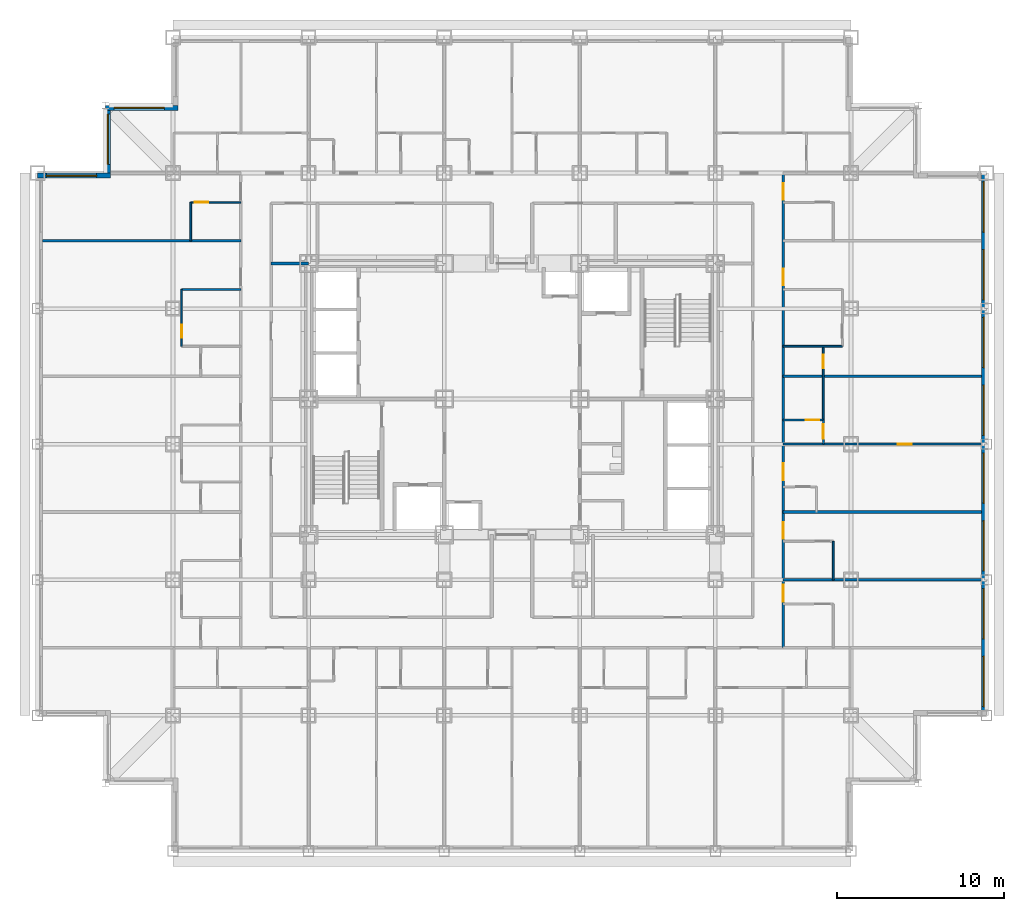
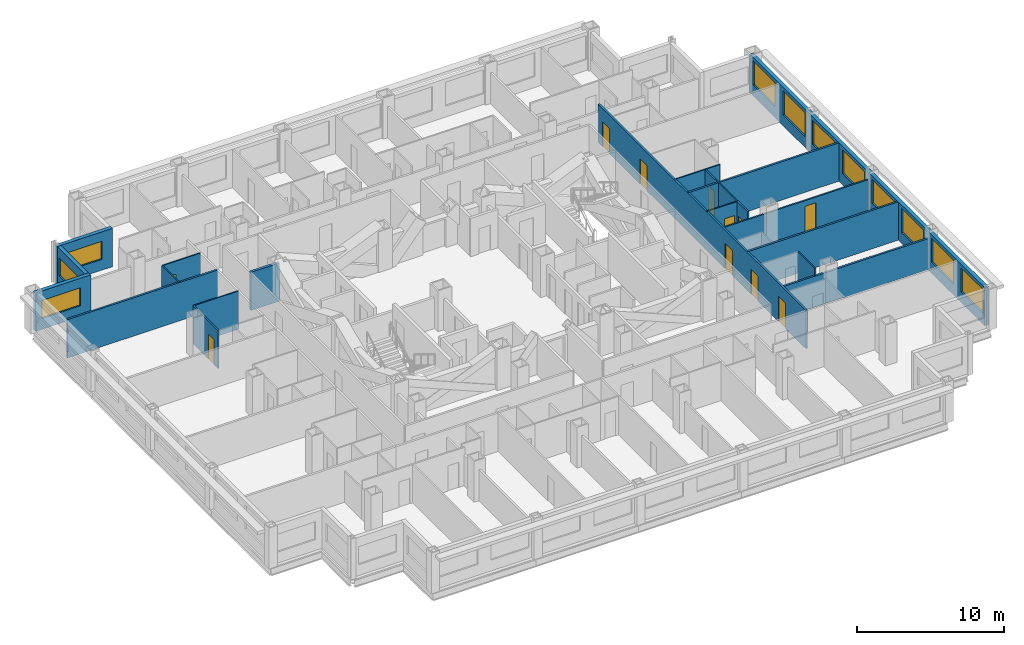
# One storey, part 8 of 13: 20 walls, 11 doors, 11 windows, 22 openings.
"""IFC4 building model written with IfcOpenShell, lengths in metres."""

from ifc_helpers import new_model, si_unit, direction, frame, frame_2d, origin, place, context, subcontext, project, spatial, rectangle, extrude, material, layer, layer_set, type_object, element, fill, save


model = new_model("IFC4")

# Units and contexts
model_context = context("Model", 3, precision=1e-05, world=origin(), true_north=direction((0.0, 1.0)))
body_context = subcontext(model_context, "Body", "Model", "MODEL_VIEW")
ifc_project = project(units=[si_unit("LENGTHUNIT", "METRE"), si_unit("AREAUNIT", "SQUARE_METRE"), si_unit("VOLUMEUNIT", "CUBIC_METRE"), si_unit("PLANEANGLEUNIT", "RADIAN"), si_unit("MASSUNIT", "GRAM", prefix="KILO")], contexts=[model_context])

# Site, building, storey
site_placement = place(None, origin())
site = spatial("IfcSite", under=ifc_project, at=site_placement, CompositionType="ELEMENT")
building_placement = place(site_placement, origin())
building = spatial("IfcBuilding", under=site, at=building_placement, Name="Kopane Lantern Tower", CompositionType="ELEMENT")
storey_placement = place(building_placement, frame((0.0, 0.0, 113.60009765625)))
storey = spatial("IfcBuildingStorey", under=building, at=storey_placement, Name="L28", CompositionType="ELEMENT", Elevation=113.60009765625)

# Wall, opening, door
ifc_material_1 = material(Name="Gypsum board on steel studs", Category="steel")
ifc_layer_1 = layer(ifc_material_1, 0.1201171875)
ifc_layer_set_1 = layer_set([ifc_layer_1], Name="APARTMENT INTERNAL WALL 120")
wall_type_1 = type_object("IfcWallType", Name="APARTMENT INTERNAL WALL 120", PredefinedType="PARTITIONING", material=ifc_layer_set_1)
wall_1_placement = place(storey_placement, frame((44.550048828125, 29.699951171875, 0.0), z_axis=(0.0, 0.0, 1.0), x_axis=(1.0, 0.0, 0.0)))
wall_1 = element("IfcWall", 1, at=wall_1_placement, inside=storey, type_object=wall_type_1, Name="Apartment Internal Wall 120 L28", PredefinedType="PARTITIONING", context=body_context, shape_type="SweptSolid", body=[
    extrude(rectangle(XDim=11.849853515625, YDim=0.1201171875, at=frame_2d((5.9248046875, 0.0))), origin(), (0.0, 0.0, 1.0), 2.57763671875),
])
opening_1_placement = place(wall_1_placement, frame((6.85009765625, 0.0, 0.0)))
opening_1 = element("IfcOpeningElement", 2, at=opening_1_placement, cuts=wall_1, Name="Opening L28-053", PredefinedType="OPENING", context=body_context, shape_type="SweptSolid", body=[
    extrude(rectangle(XDim=0.85009765625, YDim=2.10009765625, at=frame_2d((0.425048828125, 1.050048828125))), frame((0.0, 0.070068359375, 0.0), z_axis=(0.0, -1.0, 0.0), x_axis=(1.0, 0.0, 0.0)), (0.0, 0.0, 1.0), 0.14013671875),
])
ifc_material_2 = material(Name="Timber door set", Category="wood")
door_type_1 = type_object("IfcDoorType", Name="DOOR D4 850x2100", OperationType="SINGLE_SWING_LEFT", PredefinedType="DOOR", material=ifc_material_2)
door_1_placement = place(opening_1_placement, origin())
door_1 = element("IfcDoor", 3, at=door_1_placement, inside=storey, type_object=door_type_1, Name="Door L28-053", OperationType="SINGLE_SWING_LEFT", OverallHeight=2.10009765625, OverallWidth=0.85009765625, PredefinedType="DOOR", context=body_context, shape_type="SweptSolid", body=[
    extrude(rectangle(XDim=0.85009765625, YDim=2.10009765625, at=frame_2d((0.425048828125, 1.050048828125))), frame((0.0, 0.02490234375, 0.0), z_axis=(0.0, -1.0, 0.0), x_axis=(1.0, 0.0, 0.0)), (0.0, 0.0, 1.0), 0.050048828125),
])
fill(opening_1, door_1)

wall_2_placement = place(storey_placement, frame((46.949951171875, 31.159912109375, 0.0), z_axis=(0.0, 0.0, 1.0), x_axis=(0.0, -1.0, 0.0)))
wall_2 = element("IfcWall", 4, at=wall_2_placement, inside=storey, type_object=wall_type_1, Name="Apartment Internal Wall 120 L28", PredefinedType="PARTITIONING", context=body_context, shape_type="SweptSolid", body=[
    extrude(rectangle(XDim=1.4599609375, YDim=0.1201171875, at=frame_2d((0.72998046875, 0.0))), origin(), (0.0, 0.0, 1.0), 3.18994140625),
])
opening_2_placement = place(wall_2_placement, frame((0.27490234375, 0.0, 0.0)))
opening_2 = element("IfcOpeningElement", 5, at=opening_2_placement, cuts=wall_2, Name="Opening L28-080", PredefinedType="OPENING", context=body_context, shape_type="SweptSolid", body=[
    extrude(rectangle(XDim=0.85009765625, YDim=2.10009765625, at=frame_2d((0.425048828125, 1.050048828125))), frame((0.0, 0.070068359375, 0.0), z_axis=(0.0, -1.0, 0.0), x_axis=(1.0, 0.0, 0.0)), (0.0, 0.0, 1.0), 0.14013671875),
])
door_2_placement = place(opening_2_placement, origin())
door_2 = element("IfcDoor", 6, at=door_2_placement, inside=storey, type_object=door_type_1, Name="Door L28-080", OperationType="SINGLE_SWING_RIGHT", OverallHeight=2.10009765625, OverallWidth=0.85009765625, PredefinedType="DOOR", context=body_context, shape_type="SweptSolid", body=[
    extrude(rectangle(XDim=0.85009765625, YDim=2.10009765625, at=frame_2d((0.425048828125, 1.050048828125))), frame((0.0, 0.02490234375, 0.0), z_axis=(0.0, -1.0, 0.0), x_axis=(1.0, 0.0, 0.0)), (0.0, 0.0, 1.0), 0.050048828125),
])
fill(opening_2, door_2)

ifc_material_3 = material(Name="Moisture-resistant board on steel studs", Category="steel")
ifc_layer_2 = layer(ifc_material_3, 0.10009765625)
ifc_layer_set_2 = layer_set([ifc_layer_2], Name="BATHROOM WALL 100")
wall_type_2 = type_object("IfcWallType", Name="BATHROOM WALL 100", PredefinedType="PARTITIONING", material=ifc_layer_set_2)
wall_3_placement = place(storey_placement, frame((8.610107421875, 35.550048828125, 0.0), z_axis=(0.0, 0.0, 1.0), x_axis=(0.0, 1.0, 0.0)))
wall_3 = element("IfcWall", 7, at=wall_3_placement, inside=storey, type_object=wall_type_2, Name="Bathroom Wall 100 L28", PredefinedType="PARTITIONING", context=body_context, shape_type="SweptSolid", body=[
    extrude(rectangle(XDim=3.39990234375, YDim=0.10009765625, at=frame_2d((1.699951171875, 0.0))), origin(), (0.0, 0.0, 1.0), 3.18994140625),
])
opening_3_placement = place(wall_3_placement, frame((0.5, 0.0, 0.0)))
opening_3 = element("IfcOpeningElement", 8, at=opening_3_placement, cuts=wall_3, Name="Opening L28-041", PredefinedType="OPENING", context=body_context, shape_type="SweptSolid", body=[
    extrude(rectangle(XDim=0.800048828125, YDim=2.10009765625, at=frame_2d((0.39990234375, 1.050048828125))), frame((0.0, 0.06005859375, 0.0), z_axis=(0.0, -1.0, 0.0), x_axis=(1.0, 0.0, 0.0)), (0.0, 0.0, 1.0), 0.1201171875),
])
ifc_material_4 = material(Name="Timber door set", Category="wood")
door_type_2 = type_object("IfcDoorType", Name="DOOR D2 800x2100", OperationType="SINGLE_SWING_LEFT", PredefinedType="DOOR", material=ifc_material_4)
door_3_placement = place(opening_3_placement, origin())
door_3 = element("IfcDoor", 9, at=door_3_placement, inside=storey, type_object=door_type_2, Name="Door L28-041", OperationType="SINGLE_SWING_RIGHT", OverallHeight=2.10009765625, OverallWidth=0.800048828125, PredefinedType="DOOR", context=body_context, shape_type="SweptSolid", body=[
    extrude(rectangle(XDim=0.800048828125, YDim=2.10009765625, at=frame_2d((0.39990234375, 1.050048828125))), frame((0.0, 0.02490234375, 0.0), z_axis=(0.0, -1.0, 0.0), x_axis=(1.0, 0.0, 0.0)), (0.0, 0.0, 1.0), 0.050048828125),
])
fill(opening_3, door_3)

# Walls
wall_4_placement = place(storey_placement, frame((12.14990234375, 38.949951171875, 0.0), z_axis=(0.0, 0.0, 1.0), x_axis=(-1.0, 0.0, 0.0)))
element("IfcWall", 10, at=wall_4_placement, inside=storey, type_object=wall_type_2, Name="Bathroom Wall 100 L28", PredefinedType="PARTITIONING", context=body_context, shape_type="SweptSolid", body=[
    extrude(rectangle(XDim=3.539794921875, YDim=0.10009765625, at=frame_2d((1.77001953125, 0.0))), origin(), (0.0, 0.0, 1.0), 3.18994140625),
])
wall_5_placement = place(storey_placement, frame((9.14990234375, 41.85009765625, 0.0), z_axis=(0.0, 0.0, 1.0), x_axis=(0.0, 1.0, 0.0)))
element("IfcWall", 11, at=wall_5_placement, inside=storey, type_object=wall_type_2, Name="Bathroom Wall 100 L28", PredefinedType="PARTITIONING", context=body_context, shape_type="SweptSolid", body=[
    extrude(rectangle(XDim=2.2998046875, YDim=0.10009765625, at=frame_2d((1.14990234375, 0.0))), origin(), (0.0, 0.0, 1.0), 3.18994140625),
])

# Wall, opening, door
wall_6_placement = place(storey_placement, frame((12.14990234375, 44.14990234375, 0.0), z_axis=(0.0, 0.0, 1.0), x_axis=(-1.0, 0.0, 0.0)))
wall_6 = element("IfcWall", 12, at=wall_6_placement, inside=storey, type_object=wall_type_2, Name="Bathroom Wall 100 L28", PredefinedType="PARTITIONING", context=body_context, shape_type="SweptSolid", body=[
    extrude(rectangle(XDim=3.0, YDim=0.10009765625, at=frame_2d((1.5, 0.0))), origin(), (0.0, 0.0, 1.0), 3.18994140625),
])
opening_4_placement = place(wall_6_placement, frame((1.949951171875, 0.0, 0.0)))
opening_4 = element("IfcOpeningElement", 13, at=opening_4_placement, cuts=wall_6, Name="Opening L28-044", PredefinedType="OPENING", context=body_context, shape_type="SweptSolid", body=[
    extrude(rectangle(XDim=0.800048828125, YDim=2.10009765625, at=frame_2d((0.39990234375, 1.050048828125))), frame((0.0, 0.06005859375, 0.0), z_axis=(0.0, -1.0, 0.0), x_axis=(1.0, 0.0, 0.0)), (0.0, 0.0, 1.0), 0.1201171875),
])
door_4_placement = place(opening_4_placement, origin())
door_4 = element("IfcDoor", 14, at=door_4_placement, inside=storey, type_object=door_type_2, Name="Door L28-044", OperationType="SINGLE_SWING_RIGHT", OverallHeight=2.10009765625, OverallWidth=0.800048828125, PredefinedType="DOOR", context=body_context, shape_type="SweptSolid", body=[
    extrude(rectangle(XDim=0.800048828125, YDim=2.10009765625, at=frame_2d((0.39990234375, 1.050048828125))), frame((0.0, 0.02490234375, 0.0), z_axis=(0.0, -1.0, 0.0), x_axis=(1.0, 0.0, 0.0)), (0.0, 0.0, 1.0), 0.050048828125),
])
fill(opening_4, door_4)

# Wall
wall_7_placement = place(storey_placement, frame((47.550048828125, 21.60009765625, 0.0), z_axis=(0.0, 0.0, 1.0), x_axis=(0.0, 1.0, 0.0)))
element("IfcWall", 15, at=wall_7_placement, inside=storey, type_object=wall_type_2, Name="Bathroom Wall 100 L28", PredefinedType="PARTITIONING", context=body_context, shape_type="SweptSolid", body=[
    extrude(rectangle(XDim=2.2998046875, YDim=0.10009765625, at=frame_2d((1.14990234375, 0.0))), origin(), (0.0, 0.0, 1.0), 3.18994140625),
])

# Wall, opening, door
wall_8_placement = place(storey_placement, frame((46.949951171875, 31.14990234375, 0.0), z_axis=(0.0, 0.0, 1.0), x_axis=(0.0, 1.0, 0.0)))
wall_8 = element("IfcWall", 16, at=wall_8_placement, inside=storey, type_object=wall_type_2, Name="Bathroom Wall 100 L28", PredefinedType="PARTITIONING", context=body_context, shape_type="SweptSolid", body=[
    extrude(rectangle(XDim=4.400146484375, YDim=0.10009765625, at=frame_2d((2.2001953125, 0.0))), origin(), (0.0, 0.0, 1.0), 3.18994140625),
])
opening_5_placement = place(wall_8_placement, frame((3.10009765625, 0.0, 0.0)))
opening_5 = element("IfcOpeningElement", 17, at=opening_5_placement, cuts=wall_8, Name="Opening L28-055", PredefinedType="OPENING", context=body_context, shape_type="SweptSolid", body=[
    extrude(rectangle(XDim=0.800048828125, YDim=2.10009765625, at=frame_2d((0.39990234375, 1.050048828125))), frame((0.0, 0.06005859375, 0.0), z_axis=(0.0, -1.0, 0.0), x_axis=(1.0, 0.0, 0.0)), (0.0, 0.0, 1.0), 0.1201171875),
])
door_5_placement = place(opening_5_placement, origin())
door_5 = element("IfcDoor", 18, at=door_5_placement, inside=storey, type_object=door_type_2, Name="Door L28-055", OperationType="SINGLE_SWING_LEFT", OverallHeight=2.10009765625, OverallWidth=0.800048828125, PredefinedType="DOOR", context=body_context, shape_type="SweptSolid", body=[
    extrude(rectangle(XDim=0.800048828125, YDim=2.10009765625, at=frame_2d((0.39990234375, 1.050048828125))), frame((0.0, 0.02490234375, 0.0), z_axis=(0.0, -1.0, 0.0), x_axis=(1.0, 0.0, 0.0)), (0.0, 0.0, 1.0), 0.050048828125),
])
fill(opening_5, door_5)

wall_9_placement = place(storey_placement, frame((44.550048828125, 31.14990234375, 0.0), z_axis=(0.0, 0.0, 1.0), x_axis=(1.0, 0.0, 0.0)))
wall_9 = element("IfcWall", 19, at=wall_9_placement, inside=storey, type_object=wall_type_2, Name="Bathroom Wall 100 L28", PredefinedType="PARTITIONING", context=body_context, shape_type="SweptSolid", body=[
    extrude(rectangle(XDim=2.39990234375, YDim=0.10009765625, at=frame_2d((1.199951171875, 0.0))), origin(), (0.0, 0.0, 1.0), 3.18994140625),
])
opening_6_placement = place(wall_9_placement, frame((1.35009765625, 0.0, 0.0)))
opening_6 = element("IfcOpeningElement", 20, at=opening_6_placement, cuts=wall_9, Name="Opening L28-052", PredefinedType="OPENING", context=body_context, shape_type="SweptSolid", body=[
    extrude(rectangle(XDim=0.800048828125, YDim=2.10009765625, at=frame_2d((0.39990234375, 1.050048828125))), frame((0.0, 0.06005859375, 0.0), z_axis=(0.0, -1.0, 0.0), x_axis=(1.0, 0.0, 0.0)), (0.0, 0.0, 1.0), 0.1201171875),
])
door_6_placement = place(opening_6_placement, origin())
door_6 = element("IfcDoor", 21, at=door_6_placement, inside=storey, type_object=door_type_2, Name="Door L28-052", OperationType="SINGLE_SWING_LEFT", OverallHeight=2.10009765625, OverallWidth=0.800048828125, PredefinedType="DOOR", context=body_context, shape_type="SweptSolid", body=[
    extrude(rectangle(XDim=0.800048828125, YDim=2.10009765625, at=frame_2d((0.39990234375, 1.050048828125))), frame((0.0, 0.02490234375, 0.0), z_axis=(0.0, -1.0, 0.0), x_axis=(1.0, 0.0, 0.0)), (0.0, 0.0, 1.0), 0.050048828125),
])
fill(opening_6, door_6)

# Wall
wall_10_placement = place(storey_placement, frame((44.550048828125, 35.550048828125, 0.0), z_axis=(0.0, 0.0, 1.0), x_axis=(1.0, 0.0, 0.0)))
element("IfcWall", 22, at=wall_10_placement, inside=storey, type_object=wall_type_2, Name="Bathroom Wall 100 L28", PredefinedType="PARTITIONING", context=body_context, shape_type="SweptSolid", body=[
    extrude(rectangle(XDim=3.5400390625, YDim=0.10009765625, at=frame_2d((1.77001953125, 0.0))), origin(), (0.0, 0.0, 1.0), 3.18994140625),
])

# Wall, openings, doors
ifc_material_5 = material(Name="Gypsum board on steel studs", Category="steel")
ifc_layer_3 = layer(ifc_material_5, 0.14990234375)
ifc_layer_set_3 = layer_set([ifc_layer_3], Name="CORRIDOR WALL 150 EI 60")
wall_type_3 = type_object("IfcWallType", Name="CORRIDOR WALL 150 EI 60", PredefinedType="PARTITIONING", material=ifc_layer_set_3)
wall_11_placement = place(storey_placement, frame((44.550048828125, 17.550048828125, 0.0), z_axis=(0.0, 0.0, 1.0), x_axis=(0.0, 1.0, 0.0)))
wall_11 = element("IfcWall", 23, at=wall_11_placement, inside=storey, type_object=wall_type_3, Name="Corridor Wall 150 Ei 60 L28", PredefinedType="PARTITIONING", context=body_context, shape_type="SweptSolid", body=[
    extrude(rectangle(XDim=28.349853515625, YDim=0.14990234375, at=frame_2d((14.1748046875, 0.0))), origin(), (0.0, 0.0, 1.0), 3.18994140625),
])
opening_7_placement = place(wall_11_placement, frame((2.75, 0.0, 0.0)))
opening_7 = element("IfcOpeningElement", 24, at=opening_7_placement, cuts=wall_11, Name="Opening L28-047", PredefinedType="OPENING", context=body_context, shape_type="SweptSolid", body=[
    extrude(rectangle(XDim=1.0, YDim=2.10009765625, at=frame_2d((0.5, 1.050048828125))), frame((0.0, 0.0849609375, 0.0), z_axis=(0.0, -1.0, 0.0), x_axis=(1.0, 0.0, 0.0)), (0.0, 0.0, 1.0), 0.169921875),
])
opening_8_placement = place(wall_11_placement, frame((6.5, 0.0, 0.0)))
opening_8 = element("IfcOpeningElement", 25, at=opening_8_placement, cuts=wall_11, Name="Opening L28-049", PredefinedType="OPENING", context=body_context, shape_type="SweptSolid", body=[
    extrude(rectangle(XDim=1.0, YDim=2.10009765625, at=frame_2d((0.5, 1.050048828125))), frame((0.0, 0.0849609375, 0.0), z_axis=(0.0, -1.0, 0.0), x_axis=(1.0, 0.0, 0.0)), (0.0, 0.0, 1.0), 0.169921875),
])
opening_9_placement = place(wall_11_placement, frame((10.0, 0.0, 0.0)))
opening_9 = element("IfcOpeningElement", 26, at=opening_9_placement, cuts=wall_11, Name="Opening L28-051", PredefinedType="OPENING", context=body_context, shape_type="SweptSolid", body=[
    extrude(rectangle(XDim=1.0, YDim=2.10009765625, at=frame_2d((0.5, 1.050048828125))), frame((0.0, 0.0849609375, 0.0), z_axis=(0.0, -1.0, 0.0), x_axis=(1.0, 0.0, 0.0)), (0.0, 0.0, 1.0), 0.169921875),
])
opening_10_placement = place(wall_11_placement, frame((21.64990234375, 0.0, 0.0)))
opening_10 = element("IfcOpeningElement", 27, at=opening_10_placement, cuts=wall_11, Name="Opening L28-056", PredefinedType="OPENING", context=body_context, shape_type="SweptSolid", body=[
    extrude(rectangle(XDim=1.0, YDim=2.10009765625, at=frame_2d((0.5, 1.050048828125))), frame((0.0, 0.0849609375, 0.0), z_axis=(0.0, -1.0, 0.0), x_axis=(1.0, 0.0, 0.0)), (0.0, 0.0, 1.0), 0.169921875),
])
opening_11_placement = place(wall_11_placement, frame((26.75, 0.0, 0.0)))
opening_11 = element("IfcOpeningElement", 28, at=opening_11_placement, cuts=wall_11, Name="Opening L28-058", PredefinedType="OPENING", context=body_context, shape_type="SweptSolid", body=[
    extrude(rectangle(XDim=1.0, YDim=2.10009765625, at=frame_2d((0.5, 1.050048828125))), frame((0.0, 0.0849609375, 0.0), z_axis=(0.0, -1.0, 0.0), x_axis=(1.0, 0.0, 0.0)), (0.0, 0.0, 1.0), 0.169921875),
])
ifc_material_6 = material(Name="Steel door set", Category="steel")
door_type_3 = type_object("IfcDoorType", Name="DOOR D1 1000x2100 FD30S", OperationType="SINGLE_SWING_LEFT", PredefinedType="DOOR", material=ifc_material_6)
door_7_placement = place(opening_7_placement, origin())
door_7 = element("IfcDoor", 29, at=door_7_placement, inside=storey, type_object=door_type_3, Name="Door L28-047", OperationType="SINGLE_SWING_RIGHT", OverallHeight=2.10009765625, OverallWidth=1.0, PredefinedType="DOOR", context=body_context, shape_type="SweptSolid", body=[
    extrude(rectangle(XDim=1.0, YDim=2.10009765625, at=frame_2d((0.5, 1.050048828125))), frame((0.0, 0.02490234375, 0.0), z_axis=(0.0, -1.0, 0.0), x_axis=(1.0, 0.0, 0.0)), (0.0, 0.0, 1.0), 0.050048828125),
])
fill(opening_7, door_7)
door_8_placement = place(opening_8_placement, origin())
door_8 = element("IfcDoor", 30, at=door_8_placement, inside=storey, type_object=door_type_3, Name="Door L28-049", OperationType="SINGLE_SWING_RIGHT", OverallHeight=2.10009765625, OverallWidth=1.0, PredefinedType="DOOR", context=body_context, shape_type="SweptSolid", body=[
    extrude(rectangle(XDim=1.0, YDim=2.10009765625, at=frame_2d((0.5, 1.050048828125))), frame((0.0, 0.02490234375, 0.0), z_axis=(0.0, -1.0, 0.0), x_axis=(1.0, 0.0, 0.0)), (0.0, 0.0, 1.0), 0.050048828125),
])
fill(opening_8, door_8)
door_9_placement = place(opening_9_placement, origin())
door_9 = element("IfcDoor", 31, at=door_9_placement, inside=storey, type_object=door_type_3, Name="Door L28-051", OperationType="SINGLE_SWING_RIGHT", OverallHeight=2.10009765625, OverallWidth=1.0, PredefinedType="DOOR", context=body_context, shape_type="SweptSolid", body=[
    extrude(rectangle(XDim=1.0, YDim=2.10009765625, at=frame_2d((0.5, 1.050048828125))), frame((0.0, 0.02490234375, 0.0), z_axis=(0.0, -1.0, 0.0), x_axis=(1.0, 0.0, 0.0)), (0.0, 0.0, 1.0), 0.050048828125),
])
fill(opening_9, door_9)
door_10_placement = place(opening_10_placement, origin())
door_10 = element("IfcDoor", 32, at=door_10_placement, inside=storey, type_object=door_type_3, Name="Door L28-056", OperationType="SINGLE_SWING_RIGHT", OverallHeight=2.10009765625, OverallWidth=1.0, PredefinedType="DOOR", context=body_context, shape_type="SweptSolid", body=[
    extrude(rectangle(XDim=1.0, YDim=2.10009765625, at=frame_2d((0.5, 1.050048828125))), frame((0.0, 0.02490234375, 0.0), z_axis=(0.0, -1.0, 0.0), x_axis=(1.0, 0.0, 0.0)), (0.0, 0.0, 1.0), 0.050048828125),
])
fill(opening_10, door_10)
door_11_placement = place(opening_11_placement, origin())
door_11 = element("IfcDoor", 33, at=door_11_placement, inside=storey, type_object=door_type_3, Name="Door L28-058", OperationType="SINGLE_SWING_RIGHT", OverallHeight=2.10009765625, OverallWidth=1.0, PredefinedType="DOOR", context=body_context, shape_type="SweptSolid", body=[
    extrude(rectangle(XDim=1.0, YDim=2.10009765625, at=frame_2d((0.5, 1.050048828125))), frame((0.0, 0.02490234375, 0.0), z_axis=(0.0, -1.0, 0.0), x_axis=(1.0, 0.0, 0.0)), (0.0, 0.0, 1.0), 0.050048828125),
])
fill(opening_11, door_11)

# Walls
ifc_material_7 = material(Name="Gypsum board on steel studs", Category="steel")
ifc_layer_4 = layer(ifc_material_7, 0.14990234375)
ifc_layer_set_4 = layer_set([ifc_layer_4], Name="DEMISING WALL 150 EI 60")
wall_type_4 = type_object("IfcWallType", Name="DEMISING WALL 150 EI 60", PredefinedType="PARTITIONING", material=ifc_layer_set_4)
wall_12_placement = place(storey_placement, frame((12.14990234375, 41.85009765625, 0.0), z_axis=(0.0, 0.0, 1.0), x_axis=(-1.0, 0.0, 0.0)))
element("IfcWall", 34, at=wall_12_placement, inside=storey, type_object=wall_type_4, Name="Demising Wall 150 Ei 60 L28", PredefinedType="PARTITIONING", context=body_context, shape_type="SweptSolid", body=[
    extrude(rectangle(XDim=11.849853515625, YDim=0.14990234375, at=frame_2d((5.9248046875, 0.0))), origin(), (0.0, 0.0, 1.0), 3.18994140625),
])
wall_13_placement = place(storey_placement, frame((44.550048828125, 21.60009765625, 0.0), z_axis=(0.0, 0.0, 1.0), x_axis=(1.0, 0.0, 0.0)))
element("IfcWall", 35, at=wall_13_placement, inside=storey, type_object=wall_type_4, Name="Demising Wall 150 Ei 60 L28", PredefinedType="PARTITIONING", context=body_context, shape_type="SweptSolid", body=[
    extrude(rectangle(XDim=11.849853515625, YDim=0.14990234375, at=frame_2d((5.9248046875, 0.0))), origin(), (0.0, 0.0, 1.0), 2.57763671875),
])
for number, where, z_axis, x_axis, name in (
    (36, (44.550048828125, 25.64990234375, 0.0), (0.0, 0.0, 1.0), (1.0, 0.0, 0.0), "Demising Wall 150 Ei 60 L28"),
    (37, (44.550048828125, 33.75, 0.0), (0.0, 0.0, 1.0), (1.0, 0.0, 0.0), "Demising Wall 150 Ei 60 L28"),
):
    element("IfcWall", number, at=place(storey_placement, frame(where, z_axis=z_axis, x_axis=x_axis)), inside=storey, type_object=wall_type_4, Name=name, PredefinedType="PARTITIONING", context=body_context, shape_type="SweptSolid", body=[
        extrude(rectangle(XDim=11.849853515625, YDim=0.14990234375, at=frame_2d((5.9248046875, 0.0))), origin(), (0.0, 0.0, 1.0), 3.18994140625),
    ])

# Wall, openings, windows
ifc_material_8 = material(Name="Terracotta rainscreen on light steel framing", Category="masonry")
ifc_layer_5 = layer(ifc_material_8, 0.300048828125)
ifc_layer_set_5 = layer_set([ifc_layer_5], Name="EXTERNAL WALL EW1 300 TERRACOTTA")
wall_type_5 = type_object("IfcWallType", Name="EXTERNAL WALL EW1 300 TERRACOTTA", PredefinedType="SOLIDWALL", material=ifc_layer_set_5)
wall_14_placement = place(storey_placement, frame((56.550048828125, 13.800048828125, 0.0), z_axis=(0.0, 0.0, 1.0), x_axis=(0.0, 1.0, 0.0)))
wall_14 = element("IfcWall", 38, at=wall_14_placement, inside=storey, type_object=wall_type_5, Name="External wall E L28", PredefinedType="SOLIDWALL", context=body_context, shape_type="SweptSolid", body=[
    extrude(rectangle(XDim=32.099853515625, YDim=0.300048828125, at=frame_2d((16.0498046875, 0.0))), origin(), (0.0, 0.0, 1.0), 3.18994140625),
])
opening_12_placement = place(wall_14_placement, frame((0.22509765625, 0.0, 0.89990234375)))
opening_12 = element("IfcOpeningElement", 39, at=opening_12_placement, cuts=wall_14, Name="Opening WR300200", PredefinedType="OPENING", context=body_context, shape_type="SweptSolid", body=[
    extrude(rectangle(XDim=3.0, YDim=2.0, at=frame_2d((1.5, 1.0))), frame((0.0, 0.159912109375, 0.0), z_axis=(0.0, -1.0, 0.0), x_axis=(1.0, 0.0, 0.0)), (0.0, 0.0, 1.0), 0.320068359375),
])
opening_13_placement = place(wall_14_placement, frame((4.27490234375, 0.0, 0.89990234375)))
opening_13 = element("IfcOpeningElement", 40, at=opening_13_placement, cuts=wall_14, Name="Opening WR300200", PredefinedType="OPENING", context=body_context, shape_type="SweptSolid", body=[
    extrude(rectangle(XDim=3.0, YDim=2.0, at=frame_2d((1.5, 1.0))), frame((0.0, 0.159912109375, 0.0), z_axis=(0.0, -1.0, 0.0), x_axis=(1.0, 0.0, 0.0)), (0.0, 0.0, 1.0), 0.320068359375),
])
opening_14_placement = place(wall_14_placement, frame((8.324951171875, 0.0, 0.89990234375)))
opening_14 = element("IfcOpeningElement", 41, at=opening_14_placement, cuts=wall_14, Name="Opening WR300200", PredefinedType="OPENING", context=body_context, shape_type="SweptSolid", body=[
    extrude(rectangle(XDim=3.0, YDim=2.0, at=frame_2d((1.5, 1.0))), frame((0.0, 0.159912109375, 0.0), z_axis=(0.0, -1.0, 0.0), x_axis=(1.0, 0.0, 0.0)), (0.0, 0.0, 1.0), 0.320068359375),
])
opening_15_placement = place(wall_14_placement, frame((12.375, 0.0, 0.89990234375)))
opening_15 = element("IfcOpeningElement", 42, at=opening_15_placement, cuts=wall_14, Name="Opening WR300200", PredefinedType="OPENING", context=body_context, shape_type="SweptSolid", body=[
    extrude(rectangle(XDim=3.0, YDim=2.0, at=frame_2d((1.5, 1.0))), frame((0.0, 0.159912109375, 0.0), z_axis=(0.0, -1.0, 0.0), x_axis=(1.0, 0.0, 0.0)), (0.0, 0.0, 1.0), 0.320068359375),
])
opening_16_placement = place(wall_14_placement, frame((16.425048828125, 0.0, 0.89990234375)))
opening_16 = element("IfcOpeningElement", 43, at=opening_16_placement, cuts=wall_14, Name="Opening WR300200", PredefinedType="OPENING", context=body_context, shape_type="SweptSolid", body=[
    extrude(rectangle(XDim=3.0, YDim=2.0, at=frame_2d((1.5, 1.0))), frame((0.0, 0.159912109375, 0.0), z_axis=(0.0, -1.0, 0.0), x_axis=(1.0, 0.0, 0.0)), (0.0, 0.0, 1.0), 0.320068359375),
])
opening_17_placement = place(wall_14_placement, frame((20.47509765625, 0.0, 0.89990234375)))
opening_17 = element("IfcOpeningElement", 44, at=opening_17_placement, cuts=wall_14, Name="Opening WR300200", PredefinedType="OPENING", context=body_context, shape_type="SweptSolid", body=[
    extrude(rectangle(XDim=3.0, YDim=2.0, at=frame_2d((1.5, 1.0))), frame((0.0, 0.159912109375, 0.0), z_axis=(0.0, -1.0, 0.0), x_axis=(1.0, 0.0, 0.0)), (0.0, 0.0, 1.0), 0.320068359375),
])
opening_18_placement = place(wall_14_placement, frame((24.52490234375, 0.0, 0.89990234375)))
opening_18 = element("IfcOpeningElement", 45, at=opening_18_placement, cuts=wall_14, Name="Opening WR300200", PredefinedType="OPENING", context=body_context, shape_type="SweptSolid", body=[
    extrude(rectangle(XDim=3.0, YDim=2.0, at=frame_2d((1.5, 1.0))), frame((0.0, 0.159912109375, 0.0), z_axis=(0.0, -1.0, 0.0), x_axis=(1.0, 0.0, 0.0)), (0.0, 0.0, 1.0), 0.320068359375),
])
opening_19_placement = place(wall_14_placement, frame((28.574951171875, 0.0, 0.89990234375)))
opening_19 = element("IfcOpeningElement", 46, at=opening_19_placement, cuts=wall_14, Name="Opening WR300200", PredefinedType="OPENING", context=body_context, shape_type="SweptSolid", body=[
    extrude(rectangle(XDim=3.0, YDim=2.0, at=frame_2d((1.5, 1.0))), frame((0.0, 0.159912109375, 0.0), z_axis=(0.0, -1.0, 0.0), x_axis=(1.0, 0.0, 0.0)), (0.0, 0.0, 1.0), 0.320068359375),
])
ifc_material_9 = material(Name="Aluminium and clear glass", Category="aluminium")
window_type_1 = type_object("IfcWindowType", Name="RIBBON WINDOW WR300200 3000x2000", PartitioningType="SINGLE_PANEL", PredefinedType="WINDOW", material=ifc_material_9)
window_1_placement = place(opening_12_placement, origin())
window_1 = element("IfcWindow", 47, at=window_1_placement, inside=storey, type_object=window_type_1, Name="Window E L28", OverallHeight=2.0, OverallWidth=3.0, PartitioningType="SINGLE_PANEL", PredefinedType="WINDOW", context=body_context, shape_type="SweptSolid", body=[
    extrude(rectangle(XDim=3.0, YDim=2.0, at=frame_2d((1.5, 1.0))), frame((0.0, 0.030029296875, 0.0), z_axis=(0.0, -1.0, 0.0), x_axis=(1.0, 0.0, 0.0)), (0.0, 0.0, 1.0), 0.06005859375),
])
fill(opening_12, window_1)
window_2_placement = place(opening_13_placement, origin())
window_2 = element("IfcWindow", 48, at=window_2_placement, inside=storey, type_object=window_type_1, Name="Window E L28", OverallHeight=2.0, OverallWidth=3.0, PartitioningType="SINGLE_PANEL", PredefinedType="WINDOW", context=body_context, shape_type="SweptSolid", body=[
    extrude(rectangle(XDim=3.0, YDim=2.0, at=frame_2d((1.5, 1.0))), frame((0.0, 0.030029296875, 0.0), z_axis=(0.0, -1.0, 0.0), x_axis=(1.0, 0.0, 0.0)), (0.0, 0.0, 1.0), 0.06005859375),
])
fill(opening_13, window_2)
window_3_placement = place(opening_14_placement, origin())
window_3 = element("IfcWindow", 49, at=window_3_placement, inside=storey, type_object=window_type_1, Name="Window E L28", OverallHeight=2.0, OverallWidth=3.0, PartitioningType="SINGLE_PANEL", PredefinedType="WINDOW", context=body_context, shape_type="SweptSolid", body=[
    extrude(rectangle(XDim=3.0, YDim=2.0, at=frame_2d((1.5, 1.0))), frame((0.0, 0.030029296875, 0.0), z_axis=(0.0, -1.0, 0.0), x_axis=(1.0, 0.0, 0.0)), (0.0, 0.0, 1.0), 0.06005859375),
])
fill(opening_14, window_3)
window_4_placement = place(opening_15_placement, origin())
window_4 = element("IfcWindow", 50, at=window_4_placement, inside=storey, type_object=window_type_1, Name="Window E L28", OverallHeight=2.0, OverallWidth=3.0, PartitioningType="SINGLE_PANEL", PredefinedType="WINDOW", context=body_context, shape_type="SweptSolid", body=[
    extrude(rectangle(XDim=3.0, YDim=2.0, at=frame_2d((1.5, 1.0))), frame((0.0, 0.030029296875, 0.0), z_axis=(0.0, -1.0, 0.0), x_axis=(1.0, 0.0, 0.0)), (0.0, 0.0, 1.0), 0.06005859375),
])
fill(opening_15, window_4)
window_5_placement = place(opening_16_placement, origin())
window_5 = element("IfcWindow", 51, at=window_5_placement, inside=storey, type_object=window_type_1, Name="Window E L28", OverallHeight=2.0, OverallWidth=3.0, PartitioningType="SINGLE_PANEL", PredefinedType="WINDOW", context=body_context, shape_type="SweptSolid", body=[
    extrude(rectangle(XDim=3.0, YDim=2.0, at=frame_2d((1.5, 1.0))), frame((0.0, 0.030029296875, 0.0), z_axis=(0.0, -1.0, 0.0), x_axis=(1.0, 0.0, 0.0)), (0.0, 0.0, 1.0), 0.06005859375),
])
fill(opening_16, window_5)
window_6_placement = place(opening_17_placement, origin())
window_6 = element("IfcWindow", 52, at=window_6_placement, inside=storey, type_object=window_type_1, Name="Window E L28", OverallHeight=2.0, OverallWidth=3.0, PartitioningType="SINGLE_PANEL", PredefinedType="WINDOW", context=body_context, shape_type="SweptSolid", body=[
    extrude(rectangle(XDim=3.0, YDim=2.0, at=frame_2d((1.5, 1.0))), frame((0.0, 0.030029296875, 0.0), z_axis=(0.0, -1.0, 0.0), x_axis=(1.0, 0.0, 0.0)), (0.0, 0.0, 1.0), 0.06005859375),
])
fill(opening_17, window_6)
window_7_placement = place(opening_18_placement, origin())
window_7 = element("IfcWindow", 53, at=window_7_placement, inside=storey, type_object=window_type_1, Name="Window E L28", OverallHeight=2.0, OverallWidth=3.0, PartitioningType="SINGLE_PANEL", PredefinedType="WINDOW", context=body_context, shape_type="SweptSolid", body=[
    extrude(rectangle(XDim=3.0, YDim=2.0, at=frame_2d((1.5, 1.0))), frame((0.0, 0.030029296875, 0.0), z_axis=(0.0, -1.0, 0.0), x_axis=(1.0, 0.0, 0.0)), (0.0, 0.0, 1.0), 0.06005859375),
])
fill(opening_18, window_7)
window_8_placement = place(opening_19_placement, origin())
window_8 = element("IfcWindow", 54, at=window_8_placement, inside=storey, type_object=window_type_1, Name="Window E L28", OverallHeight=2.0, OverallWidth=3.0, PartitioningType="SINGLE_PANEL", PredefinedType="WINDOW", context=body_context, shape_type="SweptSolid", body=[
    extrude(rectangle(XDim=3.0, YDim=2.0, at=frame_2d((1.5, 1.0))), frame((0.0, 0.030029296875, 0.0), z_axis=(0.0, -1.0, 0.0), x_axis=(1.0, 0.0, 0.0)), (0.0, 0.0, 1.0), 0.06005859375),
])
fill(opening_19, window_8)

# Wall, opening, window
wall_15_placement = place(storey_placement, frame((8.39990234375, 49.800048828125, 0.0), z_axis=(0.0, 0.0, 1.0), x_axis=(-1.0, 0.0, 0.0)))
wall_15 = element("IfcWall", 55, at=wall_15_placement, inside=storey, type_object=wall_type_5, Name="External wall N L28", PredefinedType="SOLIDWALL", context=body_context, shape_type="SweptSolid", body=[
    extrude(rectangle(XDim=4.349853515625, YDim=0.300048828125, at=frame_2d((2.1748046875, 0.0))), origin(), (0.0, 0.0, 1.0), 3.18994140625),
])
opening_20_placement = place(wall_15_placement, frame((0.824951171875, 0.0, 0.89990234375)))
opening_20 = element("IfcOpeningElement", 56, at=opening_20_placement, cuts=wall_15, Name="Opening WR300150", PredefinedType="OPENING", context=body_context, shape_type="SweptSolid", body=[
    extrude(rectangle(XDim=3.0, YDim=1.5, at=frame_2d((1.5, 0.75))), frame((0.0, 0.159912109375, 0.0), z_axis=(0.0, -1.0, 0.0), x_axis=(1.0, 0.0, 0.0)), (0.0, 0.0, 1.0), 0.320068359375),
])
ifc_material_10 = material(Name="Aluminium and clear glass", Category="aluminium")
window_type_2 = type_object("IfcWindowType", Name="RIBBON WINDOW WR300150 3000x1500", PartitioningType="SINGLE_PANEL", PredefinedType="WINDOW", material=ifc_material_10)
window_9_placement = place(opening_20_placement, origin())
window_9 = element("IfcWindow", 57, at=window_9_placement, inside=storey, type_object=window_type_2, Name="Window N L28", OverallHeight=1.5, OverallWidth=3.0, PartitioningType="SINGLE_PANEL", PredefinedType="WINDOW", context=body_context, shape_type="SweptSolid", body=[
    extrude(rectangle(XDim=3.0, YDim=1.5, at=frame_2d((1.5, 0.75))), frame((0.0, 0.030029296875, 0.0), z_axis=(0.0, -1.0, 0.0), x_axis=(1.0, 0.0, 0.0)), (0.0, 0.0, 1.0), 0.06005859375),
])
fill(opening_20, window_9)

wall_16_placement = place(storey_placement, frame((4.199951171875, 49.64990234375, 0.0), z_axis=(0.0, 0.0, 1.0), x_axis=(0.0, -1.0, 0.0)))
wall_16 = element("IfcWall", 58, at=wall_16_placement, inside=storey, type_object=wall_type_5, Name="External wall W L28", PredefinedType="SOLIDWALL", context=body_context, shape_type="SweptSolid", body=[
    extrude(rectangle(XDim=3.75, YDim=0.300048828125, at=frame_2d((1.875, 0.0))), origin(), (0.0, 0.0, 1.0), 3.18994140625),
])
opening_21_placement = place(wall_16_placement, frame((0.22509765625, 0.0, 0.89990234375)))
opening_21 = element("IfcOpeningElement", 59, at=opening_21_placement, cuts=wall_16, Name="Opening WR300150", PredefinedType="OPENING", context=body_context, shape_type="SweptSolid", body=[
    extrude(rectangle(XDim=3.0, YDim=1.5, at=frame_2d((1.5, 0.75))), frame((0.0, 0.159912109375, 0.0), z_axis=(0.0, -1.0, 0.0), x_axis=(1.0, 0.0, 0.0)), (0.0, 0.0, 1.0), 0.320068359375),
])
window_10_placement = place(opening_21_placement, origin())
window_10 = element("IfcWindow", 60, at=window_10_placement, inside=storey, type_object=window_type_2, Name="Window W L28", OverallHeight=1.5, OverallWidth=3.0, PartitioningType="SINGLE_PANEL", PredefinedType="WINDOW", context=body_context, shape_type="SweptSolid", body=[
    extrude(rectangle(XDim=3.0, YDim=1.5, at=frame_2d((1.5, 0.75))), frame((0.0, 0.030029296875, 0.0), z_axis=(0.0, -1.0, 0.0), x_axis=(1.0, 0.0, 0.0)), (0.0, 0.0, 1.0), 0.06005859375),
])
fill(opening_21, window_10)

wall_17_placement = place(storey_placement, frame((4.35009765625, 45.75, 0.0), z_axis=(0.0, 0.0, 1.0), x_axis=(-1.0, 0.0, 0.0)))
wall_17 = element("IfcWall", 61, at=wall_17_placement, inside=storey, type_object=wall_type_5, Name="External wall N L28", PredefinedType="SOLIDWALL", context=body_context, shape_type="SweptSolid", body=[
    extrude(rectangle(XDim=4.35009765625, YDim=0.300048828125, at=frame_2d((2.175048828125, 0.0))), origin(), (0.0, 0.0, 1.0), 3.18994140625),
])
opening_22_placement = place(wall_17_placement, frame((0.824951171875, 0.0, 0.89990234375)))
opening_22 = element("IfcOpeningElement", 62, at=opening_22_placement, cuts=wall_17, Name="Opening WR300150", PredefinedType="OPENING", context=body_context, shape_type="SweptSolid", body=[
    extrude(rectangle(XDim=3.0, YDim=1.5, at=frame_2d((1.5, 0.75))), frame((0.0, 0.159912109375, 0.0), z_axis=(0.0, -1.0, 0.0), x_axis=(1.0, 0.0, 0.0)), (0.0, 0.0, 1.0), 0.320068359375),
])
window_11_placement = place(opening_22_placement, origin())
window_11 = element("IfcWindow", 63, at=window_11_placement, inside=storey, type_object=window_type_2, Name="Window N L28", OverallHeight=1.5, OverallWidth=3.0, PartitioningType="SINGLE_PANEL", PredefinedType="WINDOW", context=body_context, shape_type="SweptSolid", body=[
    extrude(rectangle(XDim=3.0, YDim=1.5, at=frame_2d((1.5, 0.75))), frame((0.0, 0.030029296875, 0.0), z_axis=(0.0, -1.0, 0.0), x_axis=(1.0, 0.0, 0.0)), (0.0, 0.0, 1.0), 0.06005859375),
])
fill(opening_22, window_11)

# Wall
ifc_material_11 = material(Name="Concrete masonry", Category="masonry")
ifc_layer_6 = layer(ifc_material_11, 0.199951171875)
ifc_layer_set_6 = layer_set([ifc_layer_6], Name="PLANT ROOM WALL 200 EI 120")
wall_type_6 = type_object("IfcWallType", Name="PLANT ROOM WALL 200 EI 120", PredefinedType="SOLIDWALL", material=ifc_layer_set_6)
wall_18_placement = place(storey_placement, frame((13.949951171875, 40.5, 0.0), z_axis=(0.0, 0.0, 1.0), x_axis=(1.0, 0.0, 0.0)))
element("IfcWall", 64, at=wall_18_placement, inside=storey, type_object=wall_type_6, Name="Plant Room Wall 200 Ei 120 L28", PredefinedType="SOLIDWALL", context=body_context, shape_type="SweptSolid", body=[
    extrude(rectangle(XDim=2.25, YDim=0.199951171875, at=frame_2d((1.125, 0.0))), origin(), (0.0, 0.0, 1.0), 3.18994140625),
])

save(model, "model.ifc")
